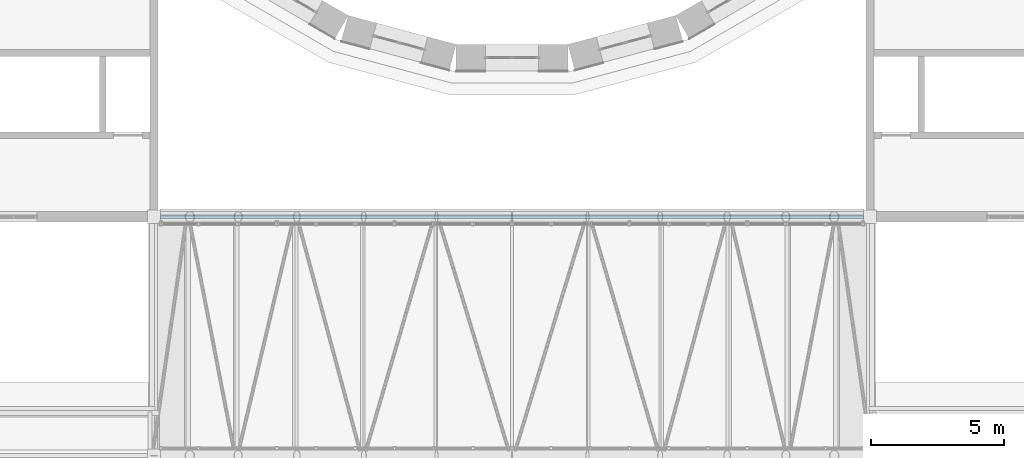
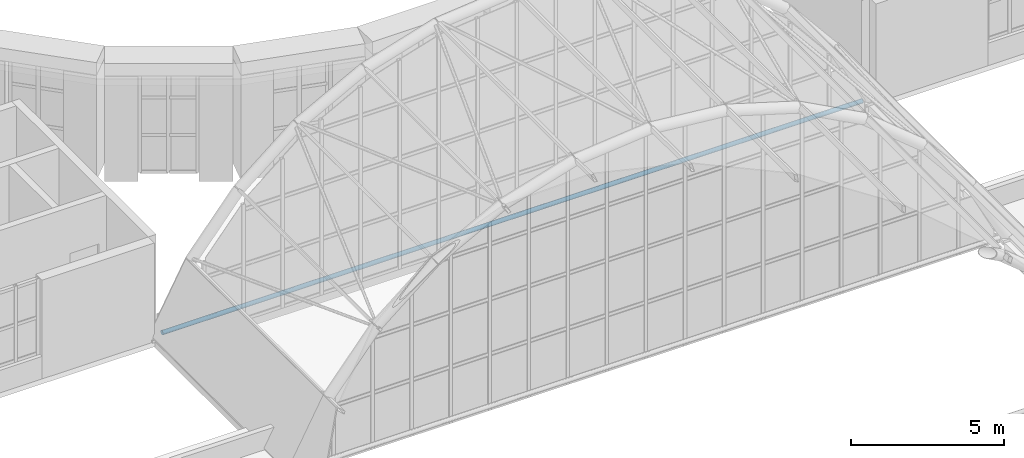
# One storey, part 55 of 121: 1 member.
"""IFC4 building model written with IfcOpenShell, lengths in metres."""

import ifcopenshell
import ifcopenshell.guid

model = None  # the IFC model being written
_history = None  # IfcOwnerHistory: only IFC2X3 demands one
_inside = {}  # id of a spatial element -> (the spatial element, [elements in it])
_under = {}  # id of a project, library or spatial element -> (it, [spatial elements below it])
_declared = {}  # id of a project -> (the project, [libraries it declares])
_typed = {}  # id of a type object -> (the type object, [elements of that type])
_made_of = {}  # id of a material, layer set ... -> (it, [elements and type objects made of it])


def new_model(schema):
    """Start an empty IFC model of exactly this schema.

    Asked for "IFC4X3", IfcOpenShell would pick the latest addendum, in which some entities
    have other attributes; the version numbers below select the first issue.
    IFC2X3 requires an IfcOwnerHistory on every rooted entity: one is made here for all.
    """
    global model, _history
    if schema == "IFC4X3":
        model = ifcopenshell.file(schema_version=(4, 3, 0, 0))
    else:
        model = ifcopenshell.file(schema=schema)
    _inside.clear()
    _under.clear()
    _declared.clear()
    _typed.clear()
    _made_of.clear()
    _history = None
    if model.schema == "IFC2X3":
        org = make("IfcOrganization", Name="unknown")
        user = make(
            "IfcPersonAndOrganization",
            ThePerson=make("IfcPerson", FamilyName="unknown"),
            TheOrganization=org,
        )
        app = make(
            "IfcApplication",
            ApplicationDeveloper=org,
            Version="unknown",
            ApplicationFullName="unknown",
            ApplicationIdentifier="unknown",
        )
        _history = make(
            "IfcOwnerHistory",
            OwningUser=user,
            OwningApplication=app,
            ChangeAction="ADDED",
            CreationDate=0,
        )
    return model


def make(cls, **values):
    """One entity of the class cls with the attributes given. An attribute that is None is left unset."""
    return model.create_entity(
        cls, **{name: value for name, value in values.items() if value is not None}
    )


def rooted(cls, **values):
    """An entity with a GlobalId (a new one), such as an element, a storey or a relation."""
    return make(cls, GlobalId=ifcopenshell.guid.new(), OwnerHistory=_history, **values)


def si_unit(unit_type, name, prefix=None):
    """IfcSIUnit, for example si_unit("LENGTHUNIT", "METRE", prefix="MILLI")."""
    return make("IfcSIUnit", UnitType=unit_type, Prefix=prefix, Name=name)


def assignment(units):
    """IfcUnitAssignment: the units of a project."""
    return None if units is None else make("IfcUnitAssignment", Units=units)


def point(xyz):
    """IfcCartesianPoint."""
    return None if xyz is None else make("IfcCartesianPoint", Coordinates=xyz)


def direction(xyz):
    """IfcDirection."""
    return None if xyz is None else make("IfcDirection", DirectionRatios=xyz)


def frame(location, z_axis=None, x_axis=None):
    """IfcAxis2Placement3D, a coordinate frame: its origin and axes. An axis left out is left unset."""
    return make(
        "IfcAxis2Placement3D",
        Location=point(location),
        Axis=direction(z_axis),
        RefDirection=direction(x_axis),
    )


def frame_2d(location, x_axis=None):
    """IfcAxis2Placement2D, a coordinate frame in the plane: its origin and x axis."""
    return make(
        "IfcAxis2Placement2D", Location=point(location), RefDirection=direction(x_axis)
    )


def origin():
    """The frame at (0, 0, 0) with its axes left unset."""
    return frame((0.0, 0.0, 0.0))


def origin_2d():
    """The frame at (0, 0) in the plane with its x axis left unset."""
    return frame_2d((0.0, 0.0))


def place(relative_to, where):
    """IfcLocalPlacement: puts the frame where relative to a parent placement (None: the world)."""
    return make(
        "IfcLocalPlacement", PlacementRelTo=relative_to, RelativePlacement=where
    )


def context(
    kind, dimensions, precision=None, world=None, true_north=None, identifier=None
):
    """IfcGeometricRepresentationContext, for example the 3D "Model" context."""
    return make(
        "IfcGeometricRepresentationContext",
        ContextIdentifier=identifier,
        ContextType=kind,
        CoordinateSpaceDimension=dimensions,
        Precision=precision,
        WorldCoordinateSystem=world,
        TrueNorth=true_north,
    )


def subcontext(parent, identifier, kind, view, scale=None):
    """IfcGeometricRepresentationSubContext, for example "Body" below "Model"."""
    return make(
        "IfcGeometricRepresentationSubContext",
        ContextIdentifier=identifier,
        ContextType=kind,
        ParentContext=parent,
        TargetScale=scale,
        TargetView=view,
    )


def project(units=None, contexts=None):
    """IfcProject with its units and contexts."""
    return rooted(
        "IfcProject",
        Name="project",
        RepresentationContexts=contexts,
        UnitsInContext=assignment(units),
    )


def spatial(cls, under=None, at=None, **own):
    """A site, building, storey or space (cls), placed at a placement, below another one or the project."""
    s = rooted(cls, ObjectPlacement=at, **own)
    if under is not None:
        _under.setdefault(under.id(), (under, []))[1].append(s)
    return s


def profile(cls, at=None, kind="AREA", **sizes):
    """A parametric profile (cls). Its sizes go by their IFC names, for example OverallWidth=200.0."""
    return make(cls, ProfileType=kind, Position=at, **sizes)


def hollow_circle(**sizes):
    """IfcCircleHollowProfileDef."""
    return profile("IfcCircleHollowProfileDef", **sizes)


def extrude(swept, where, along, depth):
    """IfcExtrudedAreaSolid: the profile swept, set in the frame where, extruded along a direction by depth."""
    return make(
        "IfcExtrudedAreaSolid",
        SweptArea=swept,
        Position=where,
        ExtrudedDirection=direction(along),
        Depth=depth,
    )


def shape(context_of_items, identifier, shape_type, items):
    """IfcShapeRepresentation: the items that make up one representation, for example the "Body"."""
    return make(
        "IfcShapeRepresentation",
        ContextOfItems=context_of_items,
        RepresentationIdentifier=identifier,
        RepresentationType=shape_type,
        Items=items,
    )


def material(Name=None, Category=None):
    """IfcMaterial."""
    return make("IfcMaterial", Name=Name, Category=Category)


def material_profile(
    of_material, cross_section, Name=None, Category=None, Priority=None
):
    """IfcMaterialProfile: a cross section and its material."""
    return make(
        "IfcMaterialProfile",
        Name=Name,
        Material=of_material,
        Profile=cross_section,
        Priority=Priority,
        Category=Category,
    )


def profile_set(profiles, Name=None, composite=None):
    """IfcMaterialProfileSet."""
    return make(
        "IfcMaterialProfileSet",
        Name=Name,
        MaterialProfiles=profiles,
        CompositeProfile=composite,
    )


def made_of(thing, what):
    """Note that an element or type object is made of a material, layer set ...; save() writes the relation."""
    if what is not None:
        _made_of.setdefault(what.id(), (what, []))[1].append(thing)
    return thing


def type_object(cls, material=None, **own):
    """A type object (cls), such as IfcWallType, which elements share."""
    return made_of(rooted(cls, **own), material)


def element(
    cls,
    number,
    at=None,
    inside=None,
    cuts=None,
    type_object=None,
    material=None,
    context=None,
    identifier="Body",
    shape_type=None,
    held_by="IfcProductDefinitionShape",
    body=None,
    shapes=None,
    **own,
):
    """One element of the class cls, such as IfcWall. Its Tag is "e" and its number.

    at: its placement. inside: the storey or other place that contains it. cuts: it is an
    opening in that element (IfcRelVoidsElement). A single representation is given by context,
    identifier, shape_type and body (its items); several are given by shapes. held_by: the class
    of the entity that holds the representations. save() writes the other relations.
    """
    e = rooted(cls, Tag="e%d" % number, ObjectPlacement=at, **own)
    if body is not None:
        shapes = [shape(context, identifier, shape_type, body)]
    if shapes is not None:
        e.Representation = make(held_by, Representations=shapes)
    if inside is not None:
        _inside.setdefault(inside.id(), (inside, []))[1].append(e)
    if cuts is not None:
        rooted(
            "IfcRelVoidsElement", RelatingBuildingElement=cuts, RelatedOpeningElement=e
        )
    if type_object is not None:
        _typed.setdefault(type_object.id(), (type_object, []))[1].append(e)
    return made_of(e, material)


def aggregate(whole, parts):
    """IfcRelAggregates: a whole, such as a stair, and the parts it consists of."""
    return rooted("IfcRelAggregates", RelatingObject=whole, RelatedObjects=parts)


def save(model, path):
    """Write the relations noted so far, then the file.

    IfcRelAggregates (storeys below a building ...), IfcRelContainedInSpatialStructure (elements
    in a storey), IfcRelDefinesByType, IfcRelAssociatesMaterial and IfcRelDeclares: one each for
    every whole, place, type object, material and project.
    """
    for whole, parts in _under.values():
        aggregate(whole, parts)
    for where, things in _inside.values():
        rooted(
            "IfcRelContainedInSpatialStructure",
            RelatedElements=things,
            RelatingStructure=where,
        )
    for kind, things in _typed.values():
        rooted("IfcRelDefinesByType", RelatedObjects=things, RelatingType=kind)
    for what, things in _made_of.values():
        rooted("IfcRelAssociatesMaterial", RelatedObjects=things, RelatingMaterial=what)
    for by, libraries in _declared.values():
        rooted("IfcRelDeclares", RelatingContext=by, RelatedDefinitions=libraries)
    model.write(path)


model = new_model("IFC4")

# Units and contexts
model_context = context("Model", 3, precision=1e-05, world=origin(), true_north=direction((0.0, 1.0)))
body_context = subcontext(model_context, "Body", "Model", "MODEL_VIEW")
ifc_project = project(units=[si_unit("LENGTHUNIT", "METRE"), si_unit("AREAUNIT", "SQUARE_METRE"), si_unit("VOLUMEUNIT", "CUBIC_METRE"), si_unit("PLANEANGLEUNIT", "RADIAN"), si_unit("MASSUNIT", "GRAM", prefix="KILO")], contexts=[model_context])

# Site, building, storey
site_placement = place(None, origin())
site = spatial("IfcSite", under=ifc_project, at=site_placement, CompositionType="ELEMENT")
building_placement = place(site_placement, origin())
building = spatial("IfcBuilding", under=site, at=building_placement, Name="Golden Quay Civic Hall", CompositionType="ELEMENT")
storey_placement = place(building_placement, frame((0.0, 0.0, 18.60009765625)))
storey = spatial("IfcBuildingStorey", under=building, at=storey_placement, Name="L04", CompositionType="ELEMENT", Elevation=18.60009765625)

# Member
ifc_material = material(Name="Steel S355", Category="steel")
ifc_material_profile = material_profile(ifc_material, hollow_circle(Radius=0.084228515625, WallThickness=0.008056640625, at=origin_2d()), Name="CHS 168.3x8")
ifc_profile_set = profile_set([ifc_material_profile], Name="Steel S355")
member_type = type_object("IfcMemberType", Name="Steel tie rod CHS 168.3x8", PredefinedType="USERDEFINED", material=ifc_profile_set)
member_placement = place(storey_placement, frame((72.25, 63.0, 0.099853515625), z_axis=(1.0, 0.0, 0.0), x_axis=(0.0, 1.0, 0.0)))
element("IfcMember", 1, at=member_placement, inside=storey, type_object=member_type, Name="Springing tie 8", ObjectType="TIE ROD", PredefinedType="USERDEFINED", context=body_context, shape_type="SweptSolid", body=[
    extrude(hollow_circle(Radius=0.084228515625, WallThickness=0.008056640625, at=origin_2d()), origin(), (0.0, 0.0, 1.0), 26.5),
])

save(model, "model.ifc")
